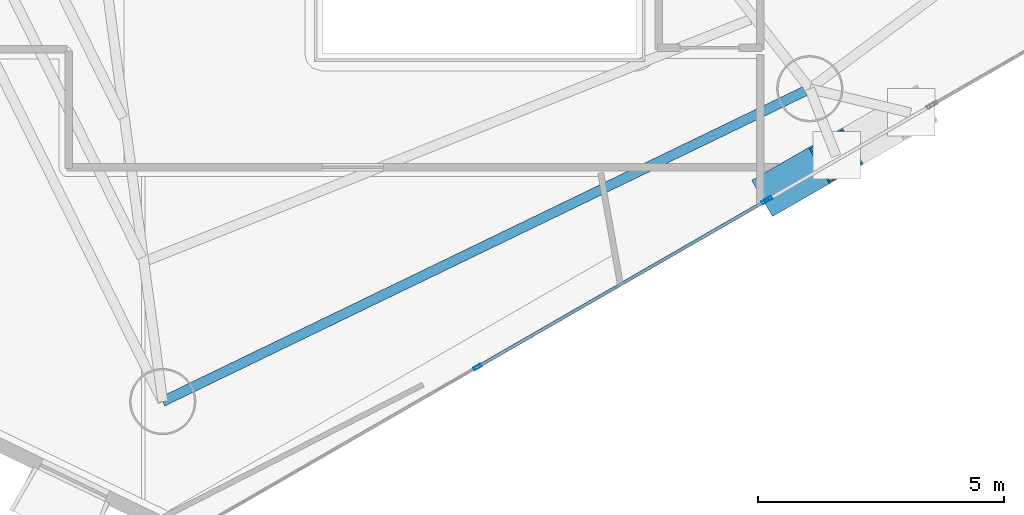
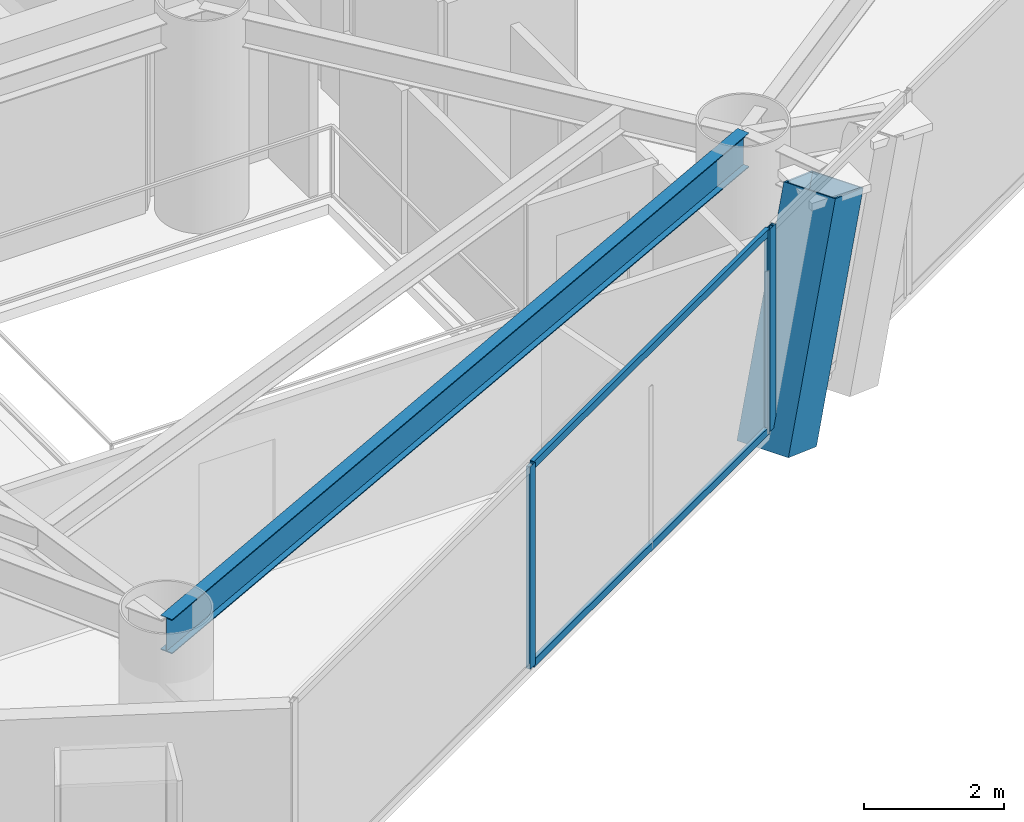
# One storey, part 5 of 22: 6 members, 1 beam, 2 elements without a shape of their own.
"""IFC4 building model written with IfcOpenShell, lengths in metres."""

from ifc_helpers import new_model, si_unit, direction, frame, origin, origin_2d, place, context, subcontext, project, spatial, hollow_rectangle, i_section, extrude, material, layer, layer_set, material_profile, profile_set, type_object, element, aggregate, save


model = new_model("IFC4")

# Units and contexts
model_context = context("Model", 3, precision=1e-05, world=origin(), true_north=direction((0.0, 1.0)))
body_context = subcontext(model_context, "Body", "Model", "MODEL_VIEW")
ifc_project = project(units=[si_unit("LENGTHUNIT", "METRE"), si_unit("AREAUNIT", "SQUARE_METRE"), si_unit("VOLUMEUNIT", "CUBIC_METRE"), si_unit("PLANEANGLEUNIT", "RADIAN"), si_unit("MASSUNIT", "GRAM", prefix="KILO")], contexts=[model_context])

# Site, building, storey
site_placement = place(None, origin())
site = spatial("IfcSite", under=ifc_project, at=site_placement, CompositionType="ELEMENT")
building_placement = place(site_placement, origin())
building = spatial("IfcBuilding", under=site, at=building_placement, Name="Qianvela Tower", CompositionType="ELEMENT")
storey_placement = place(building_placement, frame((0.0, 0.0, 169.800048828125)))
storey = spatial("IfcBuildingStorey", under=building, at=storey_placement, Name="L43", CompositionType="ELEMENT", Elevation=169.800048828125)

# Beam
ifc_material_1 = material(Name="Steel Q355B", Category="steel")
ifc_material_profile_1 = material_profile(ifc_material_1, i_section(OverallWidth=0.199951171875, OverallDepth=0.60009765625, WebThickness=0.010986328125, FlangeThickness=0.01708984375, at=origin_2d()), Name="HN600x200x11x17")
ifc_profile_set_1 = profile_set([ifc_material_profile_1], Name="Steel Q355B")
beam_type = type_object("IfcBeamType", Name="BM-HN600-GIRD", PredefinedType="BEAM", material=ifc_profile_set_1)
beam_placement = place(storey_placement, frame((30.346923828125, 10.908935546875, 3.218017578125), z_axis=(0.900328583727, 0.435210801019, 0.0), x_axis=(-0.435210801019, 0.900328583727, 0.0)))
element("IfcBeam", 1, at=beam_placement, inside=storey, type_object=beam_type, Name="L43 Perimeter Ring Spandrel Girder 5", PredefinedType="BEAM", context=body_context, shape_type="SweptSolid", body=[
    extrude(i_section(OverallWidth=0.199951171875, OverallDepth=0.60009765625, WebThickness=0.010986328125, FlangeThickness=0.01708984375, at=origin_2d()), origin(), (0.0, 0.0, 1.0), 14.636962890625),
])

# Curtain wall, member
ifc_material_2 = material(Name="Anodised Architectural Aluminium and Insulated Spandrel Panel", Category="aluminium")
ifc_layer_1 = layer(ifc_material_2, 0.179931640625)
ifc_layer_set_1 = layer_set([ifc_layer_1], Name="Anodised Architectural Aluminium and Insulated Spandrel Panel")
curtain_wall_type_1 = type_object("IfcCurtainWallType", Name="CW-BRACEBAY", PredefinedType="USERDEFINED", material=ifc_layer_set_1)
curtain_wall_1_placement = place(storey_placement, origin())
curtain_wall_1 = element("IfcCurtainWall", 2, at=curtain_wall_1_placement, inside=storey, type_object=curtain_wall_type_1, Name="L43 CW-BRACEBAY Curtain Wall 06B", ObjectType="CURTAIN_WALL_SYSTEM", PredefinedType="USERDEFINED")
ifc_material_3 = material(Name="Anodised Architectural Aluminium 6063-T6", Category="aluminium")
ifc_material_profile_2 = material_profile(ifc_material_3, hollow_rectangle(XDim=0.06494140625, YDim=0.159912109375, WallThickness=0.0048828125, at=origin_2d()), Name="ALU-MULL-65x160")
ifc_profile_set_2 = profile_set([ifc_material_profile_2], Name="Anodised Architectural Aluminium 6063-T6")
member_type_1 = type_object("IfcMemberType", Name="CW-BRACEBAY-MULL", PredefinedType="MULLION", material=ifc_profile_set_2)
member_1_placement = place(storey_placement, frame((42.680908203125, 15.0263671875, 0.0), z_axis=(0.0, 0.0, 1.0), x_axis=(-0.499277636137, 0.866442059259, 0.0)))
member_1 = element("IfcMember", 3, at=member_1_placement, type_object=member_type_1, Name="CW-9 mullion 1", PredefinedType="MULLION", context=body_context, shape_type="SweptSolid", body=[
    extrude(hollow_rectangle(XDim=0.06494140625, YDim=0.159912109375, WallThickness=0.0048828125, at=origin_2d()), origin(), (0.0, 0.0, 1.0), 3.52001953125),
])
aggregate(curtain_wall_1, [member_1])

# Curtain wall, members
ifc_material_4 = material(Name="Anodised Architectural Aluminium and Low-E Glass", Category="aluminium")
ifc_layer_2 = layer(ifc_material_4, 0.169921875)
ifc_layer_set_2 = layer_set([ifc_layer_2], Name="Anodised Architectural Aluminium and Low-E Glass")
curtain_wall_type_2 = type_object("IfcCurtainWallType", Name="CW-COLIV-Z34", PredefinedType="USERDEFINED", material=ifc_layer_set_2)
curtain_wall_2_placement = place(storey_placement, origin())
curtain_wall_2 = element("IfcCurtainWall", 4, at=curtain_wall_2_placement, inside=storey, type_object=curtain_wall_type_2, Name="L43 CW-COLIV-Z34 Curtain Wall 06A", ObjectType="CURTAIN_WALL_SYSTEM", PredefinedType="USERDEFINED")
ifc_material_5 = material(Name="Anodised Architectural Aluminium 6063-T6", Category="aluminium")
ifc_material_profile_3 = material_profile(ifc_material_5, hollow_rectangle(XDim=0.06494140625, YDim=0.159912109375, WallThickness=0.0048828125, at=origin_2d()), Name="ALU-MULL-65x160")
ifc_profile_set_3 = profile_set([ifc_material_profile_3], Name="Anodised Architectural Aluminium 6063-T6")
member_type_2 = type_object("IfcMemberType", Name="CW-COLIV-Z34-MULL", PredefinedType="MULLION", material=ifc_profile_set_3)
member_2_placement = place(storey_placement, frame((36.756591796875, 11.612548828125, 0.0), z_axis=(0.0, 0.0, 1.0), x_axis=(-0.499287311771, 0.866436483711, 0.0)))
member_2 = element("IfcMember", 5, at=member_2_placement, type_object=member_type_2, Name="CW-4 mullion 2", PredefinedType="MULLION", context=body_context, shape_type="SweptSolid", body=[
    extrude(hollow_rectangle(XDim=0.06494140625, YDim=0.159912109375, WallThickness=0.0048828125, at=origin_2d()), origin(), (0.0, 0.0, 1.0), 3.52001953125),
])
member_3_placement = place(storey_placement, frame((42.62451171875, 14.993896484375, 0.0), z_axis=(0.0, 0.0, 1.0), x_axis=(-0.499287311771, 0.866436483711, 0.0)))
member_3 = element("IfcMember", 6, at=member_3_placement, type_object=member_type_2, Name="CW-4 mullion 3", PredefinedType="MULLION", context=body_context, shape_type="SweptSolid", body=[
    extrude(hollow_rectangle(XDim=0.06494140625, YDim=0.159912109375, WallThickness=0.0048828125, at=origin_2d()), origin(), (0.0, 0.0, 1.0), 3.52001953125),
])
ifc_material_6 = material(Name="Anodised Architectural Aluminium 6063-T6", Category="aluminium")
ifc_material_profile_4 = material_profile(ifc_material_6, hollow_rectangle(XDim=0.06494140625, YDim=0.1298828125, WallThickness=0.00439453125, at=origin_2d()), Name="ALU-TRAN-65x130")
ifc_profile_set_4 = profile_set([ifc_material_profile_4], Name="Anodised Architectural Aluminium 6063-T6")
member_type_3 = type_object("IfcMemberType", Name="CW-COLIV-Z34-TRAN", PredefinedType="USERDEFINED", material=ifc_profile_set_4)
member_4_placement = place(storey_placement, frame((36.78466796875, 11.628662109375, 0.032470703125), z_axis=(0.866447845373, 0.499267594832, 0.0), x_axis=(-0.499267594832, 0.866447845373, 0.0)))
member_4 = element("IfcMember", 7, at=member_4_placement, type_object=member_type_3, Name="CW-4 transom 2.1", ObjectType="TRANSOM", PredefinedType="USERDEFINED", context=body_context, shape_type="SweptSolid", body=[
    extrude(hollow_rectangle(XDim=0.06494140625, YDim=0.1298828125, WallThickness=0.00439453125, at=origin_2d()), origin(), (0.0, 0.0, 1.0), 6.70751953125),
])
member_5_placement = place(storey_placement, frame((36.78466796875, 11.628662109375, 3.487548828125), z_axis=(0.866447845373, 0.499267594832, 0.0), x_axis=(-0.499267594832, 0.866447845373, 0.0)))
member_5 = element("IfcMember", 8, at=member_5_placement, type_object=member_type_3, Name="CW-4 transom 2.2", ObjectType="TRANSOM", PredefinedType="USERDEFINED", context=body_context, shape_type="SweptSolid", body=[
    extrude(hollow_rectangle(XDim=0.06494140625, YDim=0.1298828125, WallThickness=0.00439453125, at=origin_2d()), origin(), (0.0, 0.0, 1.0), 6.70751953125),
])
aggregate(curtain_wall_2, [member_2, member_3, member_4, member_5])

# Member
ifc_material_7 = material(Name="Steel Q420GJC", Category="steel")
ifc_material_profile_5 = material_profile(ifc_material_7, hollow_rectangle(XDim=0.85009765625, YDim=0.85009765625, WallThickness=0.031982421875, at=origin_2d()), Name="MBOX-850x850x32")
ifc_profile_set_5 = profile_set([ifc_material_profile_5], Name="Steel Q420GJC")
member_type_4 = type_object("IfcMemberType", Name="MBR-MBRACE-850", PredefinedType="BRACE", material=ifc_profile_set_5)
member_6_placement = place(storey_placement, frame((42.899658203125, 15.24462890625, -0.48193359375), z_axis=(0.29456998973, 0.16977954327, 0.940427258132), x_axis=(-0.499359001547, 0.866395168254, 0.0)))
element("IfcMember", 9, at=member_6_placement, inside=storey, type_object=member_type_4, Name="L43 Tier 7 Exterior Mega-Brace F3A", PredefinedType="BRACE", context=body_context, shape_type="SweptSolid", body=[
    extrude(hollow_rectangle(XDim=0.85009765625, YDim=0.85009765625, WallThickness=0.031982421875, at=origin_2d()), origin(), (0.0, 0.0, 1.0), 3.934326171875),
])

save(model, "model.ifc")
